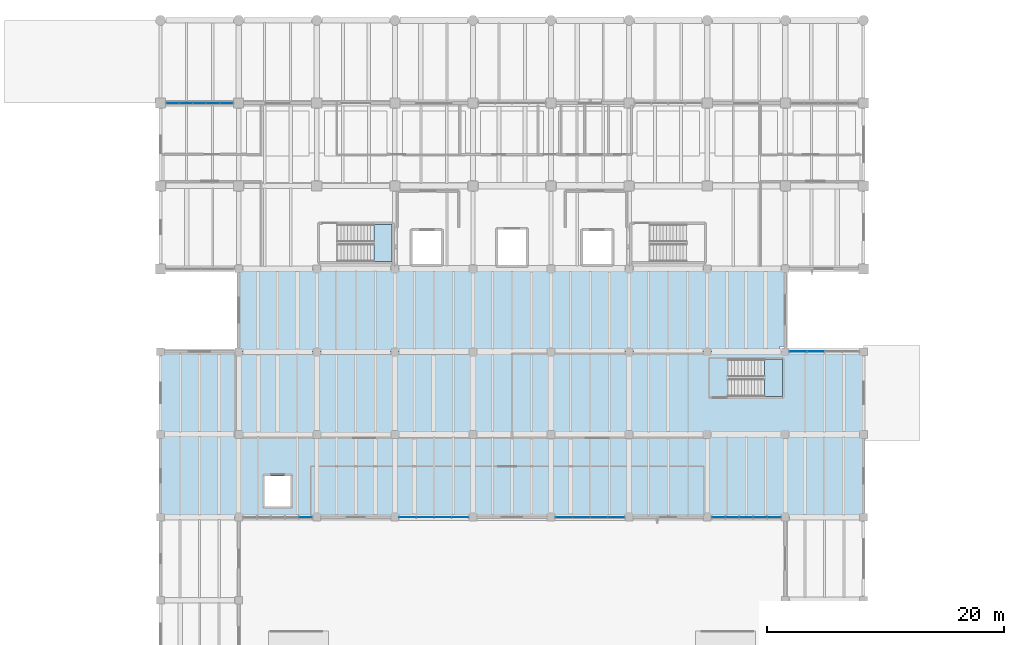
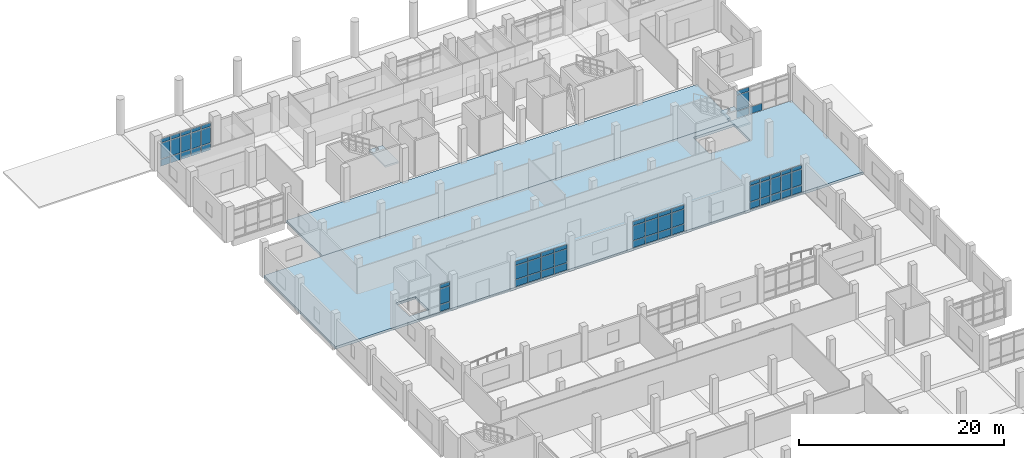
# One storey, part 39 of 69: 61 plates, 4 slabs, 8 elements without a shape of their own.
"""IFC4 building model written with IfcOpenShell, lengths in metres."""

from ifc_helpers import new_model, si_unit, direction, frame, origin, origin_2d, place, context, subcontext, project, spatial, polyline, rectangle, outline, extrude, material, layer, layer_set, type_object, element, aggregate, save


model = new_model("IFC4")

# Units and contexts
model_context = context("Model", 3, precision=1e-05, world=origin(), true_north=direction((0.0, 1.0)))
body_context = subcontext(model_context, "Body", "Model", "MODEL_VIEW")
ifc_project = project(units=[si_unit("LENGTHUNIT", "METRE"), si_unit("AREAUNIT", "SQUARE_METRE"), si_unit("VOLUMEUNIT", "CUBIC_METRE"), si_unit("PLANEANGLEUNIT", "RADIAN"), si_unit("MASSUNIT", "GRAM", prefix="KILO")], contexts=[model_context])

# Site, building, storey
site_placement = place(None, origin())
site = spatial("IfcSite", under=ifc_project, at=site_placement, CompositionType="ELEMENT")
building_placement = place(site_placement, origin())
building = spatial("IfcBuilding", under=site, at=building_placement, Name="Ciguamira Faculty of Natural Sciences", CompositionType="ELEMENT")
storey_placement = place(building_placement, origin())
storey = spatial("IfcBuildingStorey", under=building, at=storey_placement, Name="L00", CompositionType="ELEMENT", Elevation=0.0)

# Curtain wall, plates
ifc_material_1 = material(Name="Anodized aluminium curtain wall", Category="aluminium")
curtain_wall_type_1 = type_object("IfcCurtainWallType", Name="CurtainWall_CW-01", PredefinedType="USERDEFINED", material=ifc_material_1)
curtain_wall_1_placement = place(storey_placement, origin())
curtain_wall_1 = element("IfcCurtainWall", 1, at=curtain_wall_1_placement, inside=storey, type_object=curtain_wall_type_1, Name="L00 unitised curtain wall 0013", ObjectType="UNITISED CURTAIN WALL", PredefinedType="USERDEFINED")
ifc_material_2 = material(Name="Low-E laminated solar glass", Category="glass")
ifc_layer_1 = layer(ifc_material_2, 0.028076171875, Name="Low-E laminated solar glass")
ifc_layer_set_1 = layer_set([ifc_layer_1], Name="Low-E laminated solar glass")
plate_type_1 = type_object("IfcPlateType", Name="CWPanel_CWP-01", PredefinedType="CURTAIN_PANEL", material=ifc_layer_set_1)
plate_1_placement = place(storey_placement, frame((78.183837890625, 73.0, 0.06005859375), z_axis=(0.0, 0.0, 1.0), x_axis=(1.0, 0.0, 0.0)))
plate_1 = element("IfcPlate", 2, at=plate_1_placement, type_object=plate_type_1, Name="CW-01 panel 1.1", PredefinedType="CURTAIN_PANEL", context=body_context, shape_type="SweptSolid", body=[
    extrude(rectangle(XDim=1.3974609375, YDim=0.028076171875, at=origin_2d()), origin(), (0.0, 0.0, 1.0), 0.81005859375),
])
plate_2_placement = place(storey_placement, frame((78.183837890625, 73.0, 0.929931640625), z_axis=(0.0, 0.0, 1.0), x_axis=(1.0, 0.0, 0.0)))
plate_2 = element("IfcPlate", 3, at=plate_2_placement, type_object=plate_type_1, Name="CW-01 panel 1.2", PredefinedType="CURTAIN_PANEL", context=body_context, shape_type="SweptSolid", body=[
    extrude(rectangle(XDim=1.3974609375, YDim=0.028076171875, at=origin_2d()), origin(), (0.0, 0.0, 1.0), 1.625),
])
plate_3_placement = place(storey_placement, frame((78.183837890625, 73.0, 2.614990234375), z_axis=(0.0, 0.0, 1.0), x_axis=(1.0, 0.0, 0.0)))
plate_3 = element("IfcPlate", 4, at=plate_3_placement, type_object=plate_type_1, Name="CW-01 panel 1.3", PredefinedType="CURTAIN_PANEL", context=body_context, shape_type="SweptSolid", body=[
    extrude(rectangle(XDim=1.3974609375, YDim=0.028076171875, at=origin_2d()), origin(), (0.0, 0.0, 1.0), 0.4599609375),
])
plate_4_placement = place(storey_placement, frame((79.65625, 73.0, 0.06005859375), z_axis=(0.0, 0.0, 1.0), x_axis=(1.0, 0.0, 0.0)))
plate_4 = element("IfcPlate", 5, at=plate_4_placement, type_object=plate_type_1, Name="CW-01 panel 2.1", PredefinedType="CURTAIN_PANEL", context=body_context, shape_type="SweptSolid", body=[
    extrude(rectangle(XDim=1.427490234375, YDim=0.028076171875, at=origin_2d()), origin(), (0.0, 0.0, 1.0), 0.81005859375),
])
plate_5_placement = place(storey_placement, frame((79.65625, 73.0, 0.929931640625), z_axis=(0.0, 0.0, 1.0), x_axis=(1.0, 0.0, 0.0)))
plate_5 = element("IfcPlate", 6, at=plate_5_placement, type_object=plate_type_1, Name="CW-01 panel 2.2", PredefinedType="CURTAIN_PANEL", context=body_context, shape_type="SweptSolid", body=[
    extrude(rectangle(XDim=1.427490234375, YDim=0.028076171875, at=origin_2d()), origin(), (0.0, 0.0, 1.0), 1.625),
])
plate_6_placement = place(storey_placement, frame((79.65625, 73.0, 2.614990234375), z_axis=(0.0, 0.0, 1.0), x_axis=(1.0, 0.0, 0.0)))
plate_6 = element("IfcPlate", 7, at=plate_6_placement, type_object=plate_type_1, Name="CW-01 panel 2.3", PredefinedType="CURTAIN_PANEL", context=body_context, shape_type="SweptSolid", body=[
    extrude(rectangle(XDim=1.427490234375, YDim=0.028076171875, at=origin_2d()), origin(), (0.0, 0.0, 1.0), 0.4599609375),
])
plate_7_placement = place(storey_placement, frame((81.143798828125, 73.0, 0.06005859375), z_axis=(0.0, 0.0, 1.0), x_axis=(1.0, 0.0, 0.0)))
plate_7 = element("IfcPlate", 8, at=plate_7_placement, type_object=plate_type_1, Name="CW-01 panel 3.1", PredefinedType="CURTAIN_PANEL", context=body_context, shape_type="SweptSolid", body=[
    extrude(rectangle(XDim=1.427490234375, YDim=0.028076171875, at=origin_2d()), origin(), (0.0, 0.0, 1.0), 0.81005859375),
])
plate_8_placement = place(storey_placement, frame((81.143798828125, 73.0, 0.929931640625), z_axis=(0.0, 0.0, 1.0), x_axis=(1.0, 0.0, 0.0)))
plate_8 = element("IfcPlate", 9, at=plate_8_placement, type_object=plate_type_1, Name="CW-01 panel 3.2", PredefinedType="CURTAIN_PANEL", context=body_context, shape_type="SweptSolid", body=[
    extrude(rectangle(XDim=1.427490234375, YDim=0.028076171875, at=origin_2d()), origin(), (0.0, 0.0, 1.0), 1.625),
])
plate_9_placement = place(storey_placement, frame((81.143798828125, 73.0, 2.614990234375), z_axis=(0.0, 0.0, 1.0), x_axis=(1.0, 0.0, 0.0)))
plate_9 = element("IfcPlate", 10, at=plate_9_placement, type_object=plate_type_1, Name="CW-01 panel 3.3", PredefinedType="CURTAIN_PANEL", context=body_context, shape_type="SweptSolid", body=[
    extrude(rectangle(XDim=1.427490234375, YDim=0.028076171875, at=origin_2d()), origin(), (0.0, 0.0, 1.0), 0.4599609375),
])
plate_10_placement = place(storey_placement, frame((82.6162109375, 73.0, 0.06005859375), z_axis=(0.0, 0.0, 1.0), x_axis=(1.0, 0.0, 0.0)))
plate_10 = element("IfcPlate", 11, at=plate_10_placement, type_object=plate_type_1, Name="CW-01 panel 4.1", PredefinedType="CURTAIN_PANEL", context=body_context, shape_type="SweptSolid", body=[
    extrude(rectangle(XDim=1.3974609375, YDim=0.028076171875, at=origin_2d()), origin(), (0.0, 0.0, 1.0), 0.81005859375),
])
plate_11_placement = place(storey_placement, frame((82.6162109375, 73.0, 0.929931640625), z_axis=(0.0, 0.0, 1.0), x_axis=(1.0, 0.0, 0.0)))
plate_11 = element("IfcPlate", 12, at=plate_11_placement, type_object=plate_type_1, Name="CW-01 panel 4.2", PredefinedType="CURTAIN_PANEL", context=body_context, shape_type="SweptSolid", body=[
    extrude(rectangle(XDim=1.3974609375, YDim=0.028076171875, at=origin_2d()), origin(), (0.0, 0.0, 1.0), 1.625),
])
plate_12_placement = place(storey_placement, frame((82.6162109375, 73.0, 2.614990234375), z_axis=(0.0, 0.0, 1.0), x_axis=(1.0, 0.0, 0.0)))
plate_12 = element("IfcPlate", 13, at=plate_12_placement, type_object=plate_type_1, Name="CW-01 panel 4.3", PredefinedType="CURTAIN_PANEL", context=body_context, shape_type="SweptSolid", body=[
    extrude(rectangle(XDim=1.3974609375, YDim=0.028076171875, at=origin_2d()), origin(), (0.0, 0.0, 1.0), 0.4599609375),
])
aggregate(curtain_wall_1, [plate_1, plate_2, plate_3, plate_4, plate_5, plate_6, plate_7, plate_8, plate_9, plate_10, plate_11, plate_12])

curtain_wall_type_2 = type_object("IfcCurtainWallType", Name="CurtainWall_CW-03", PredefinedType="USERDEFINED", material=ifc_material_1)
curtain_wall_2_placement = place(storey_placement, origin())
curtain_wall_2 = element("IfcCurtainWall", 14, at=curtain_wall_2_placement, inside=storey, type_object=curtain_wall_type_2, Name="L00 unitised curtain wall 0015", ObjectType="UNITISED CURTAIN WALL", PredefinedType="USERDEFINED")
plate_13_placement = place(storey_placement, frame((104.43994140625, 73.0, 0.080078125), z_axis=(0.0, 0.0, 1.0), x_axis=(1.0, 0.0, 0.0)))
plate_13 = element("IfcPlate", 15, at=plate_13_placement, type_object=plate_type_1, Name="CW-03 panel 1.1", PredefinedType="CURTAIN_PANEL", context=body_context, shape_type="SweptSolid", body=[
    extrude(rectangle(XDim=1.070068359375, YDim=0.028076171875, at=origin_2d()), origin(), (0.0, 0.0, 1.0), 0.780029296875),
])
plate_14_placement = place(storey_placement, frame((104.43994140625, 73.0, 0.93994140625), z_axis=(0.0, 0.0, 1.0), x_axis=(1.0, 0.0, 0.0)))
plate_14 = element("IfcPlate", 16, at=plate_14_placement, type_object=plate_type_1, Name="CW-03 panel 1.2", PredefinedType="CURTAIN_PANEL", context=body_context, shape_type="SweptSolid", body=[
    extrude(rectangle(XDim=1.070068359375, YDim=0.028076171875, at=origin_2d()), origin(), (0.0, 0.0, 1.0), 1.8349609375),
])
plate_15_placement = place(storey_placement, frame((104.43994140625, 73.0, 2.85498046875), z_axis=(0.0, 0.0, 1.0), x_axis=(1.0, 0.0, 0.0)))
plate_15 = element("IfcPlate", 17, at=plate_15_placement, type_object=plate_type_1, Name="CW-03 panel 1.3", PredefinedType="CURTAIN_PANEL", context=body_context, shape_type="SweptSolid", body=[
    extrude(rectangle(XDim=1.070068359375, YDim=0.028076171875, at=origin_2d()), origin(), (0.0, 0.0, 1.0), 0.429931640625),
])
plate_16_placement = place(storey_placement, frame((105.610107421875, 73.0, 0.080078125), z_axis=(0.0, 0.0, 1.0), x_axis=(1.0, 0.0, 0.0)))
plate_16 = element("IfcPlate", 18, at=plate_16_placement, type_object=plate_type_1, Name="CW-03 panel 2.1", PredefinedType="CURTAIN_PANEL", context=body_context, shape_type="SweptSolid", body=[
    extrude(rectangle(XDim=1.110107421875, YDim=0.028076171875, at=origin_2d()), origin(), (0.0, 0.0, 1.0), 0.780029296875),
])
plate_17_placement = place(storey_placement, frame((105.610107421875, 73.0, 0.93994140625), z_axis=(0.0, 0.0, 1.0), x_axis=(1.0, 0.0, 0.0)))
plate_17 = element("IfcPlate", 19, at=plate_17_placement, type_object=plate_type_1, Name="CW-03 panel 2.2", PredefinedType="CURTAIN_PANEL", context=body_context, shape_type="SweptSolid", body=[
    extrude(rectangle(XDim=1.110107421875, YDim=0.028076171875, at=origin_2d()), origin(), (0.0, 0.0, 1.0), 1.8349609375),
])
plate_18_placement = place(storey_placement, frame((105.610107421875, 73.0, 2.85498046875), z_axis=(0.0, 0.0, 1.0), x_axis=(1.0, 0.0, 0.0)))
plate_18 = element("IfcPlate", 20, at=plate_18_placement, type_object=plate_type_1, Name="CW-03 panel 2.3", PredefinedType="CURTAIN_PANEL", context=body_context, shape_type="SweptSolid", body=[
    extrude(rectangle(XDim=1.110107421875, YDim=0.028076171875, at=origin_2d()), origin(), (0.0, 0.0, 1.0), 0.429931640625),
])
plate_19_placement = place(storey_placement, frame((106.800048828125, 73.0, 0.080078125), z_axis=(0.0, 0.0, 1.0), x_axis=(1.0, 0.0, 0.0)))
plate_19 = element("IfcPlate", 21, at=plate_19_placement, type_object=plate_type_1, Name="CW-03 panel 3.1", PredefinedType="CURTAIN_PANEL", context=body_context, shape_type="SweptSolid", body=[
    extrude(rectangle(XDim=1.110107421875, YDim=0.028076171875, at=origin_2d()), origin(), (0.0, 0.0, 1.0), 0.780029296875),
])
plate_20_placement = place(storey_placement, frame((106.800048828125, 73.0, 0.93994140625), z_axis=(0.0, 0.0, 1.0), x_axis=(1.0, 0.0, 0.0)))
plate_20 = element("IfcPlate", 22, at=plate_20_placement, type_object=plate_type_1, Name="CW-03 panel 3.2", PredefinedType="CURTAIN_PANEL", context=body_context, shape_type="SweptSolid", body=[
    extrude(rectangle(XDim=1.110107421875, YDim=0.028076171875, at=origin_2d()), origin(), (0.0, 0.0, 1.0), 1.8349609375),
])
plate_21_placement = place(storey_placement, frame((106.800048828125, 73.0, 2.85498046875), z_axis=(0.0, 0.0, 1.0), x_axis=(1.0, 0.0, 0.0)))
plate_21 = element("IfcPlate", 23, at=plate_21_placement, type_object=plate_type_1, Name="CW-03 panel 3.3", PredefinedType="CURTAIN_PANEL", context=body_context, shape_type="SweptSolid", body=[
    extrude(rectangle(XDim=1.110107421875, YDim=0.028076171875, at=origin_2d()), origin(), (0.0, 0.0, 1.0), 0.429931640625),
])
plate_22_placement = place(storey_placement, frame((107.989990234375, 73.0, 0.080078125), z_axis=(0.0, 0.0, 1.0), x_axis=(1.0, 0.0, 0.0)))
plate_22 = element("IfcPlate", 24, at=plate_22_placement, type_object=plate_type_1, Name="CW-03 panel 4.1", PredefinedType="CURTAIN_PANEL", context=body_context, shape_type="SweptSolid", body=[
    extrude(rectangle(XDim=1.110107421875, YDim=0.028076171875, at=origin_2d()), origin(), (0.0, 0.0, 1.0), 0.780029296875),
])
plate_23_placement = place(storey_placement, frame((107.989990234375, 73.0, 0.93994140625), z_axis=(0.0, 0.0, 1.0), x_axis=(1.0, 0.0, 0.0)))
plate_23 = element("IfcPlate", 25, at=plate_23_placement, type_object=plate_type_1, Name="CW-03 panel 4.2", PredefinedType="CURTAIN_PANEL", context=body_context, shape_type="SweptSolid", body=[
    extrude(rectangle(XDim=1.110107421875, YDim=0.028076171875, at=origin_2d()), origin(), (0.0, 0.0, 1.0), 1.8349609375),
])
plate_24_placement = place(storey_placement, frame((107.989990234375, 73.0, 2.85498046875), z_axis=(0.0, 0.0, 1.0), x_axis=(1.0, 0.0, 0.0)))
plate_24 = element("IfcPlate", 26, at=plate_24_placement, type_object=plate_type_1, Name="CW-03 panel 4.3", PredefinedType="CURTAIN_PANEL", context=body_context, shape_type="SweptSolid", body=[
    extrude(rectangle(XDim=1.110107421875, YDim=0.028076171875, at=origin_2d()), origin(), (0.0, 0.0, 1.0), 0.429931640625),
])
plate_25_placement = place(storey_placement, frame((109.159912109375, 73.0, 0.080078125), z_axis=(0.0, 0.0, 1.0), x_axis=(1.0, 0.0, 0.0)))
plate_25 = element("IfcPlate", 27, at=plate_25_placement, type_object=plate_type_1, Name="CW-03 panel 5.1", PredefinedType="CURTAIN_PANEL", context=body_context, shape_type="SweptSolid", body=[
    extrude(rectangle(XDim=1.070068359375, YDim=0.028076171875, at=origin_2d()), origin(), (0.0, 0.0, 1.0), 0.780029296875),
])
plate_26_placement = place(storey_placement, frame((109.159912109375, 73.0, 0.93994140625), z_axis=(0.0, 0.0, 1.0), x_axis=(1.0, 0.0, 0.0)))
plate_26 = element("IfcPlate", 28, at=plate_26_placement, type_object=plate_type_1, Name="CW-03 panel 5.2", PredefinedType="CURTAIN_PANEL", context=body_context, shape_type="SweptSolid", body=[
    extrude(rectangle(XDim=1.070068359375, YDim=0.028076171875, at=origin_2d()), origin(), (0.0, 0.0, 1.0), 1.8349609375),
])
plate_27_placement = place(storey_placement, frame((109.159912109375, 73.0, 2.85498046875), z_axis=(0.0, 0.0, 1.0), x_axis=(1.0, 0.0, 0.0)))
plate_27 = element("IfcPlate", 29, at=plate_27_placement, type_object=plate_type_1, Name="CW-03 panel 5.3", PredefinedType="CURTAIN_PANEL", context=body_context, shape_type="SweptSolid", body=[
    extrude(rectangle(XDim=1.070068359375, YDim=0.028076171875, at=origin_2d()), origin(), (0.0, 0.0, 1.0), 0.429931640625),
])
aggregate(curtain_wall_2, [plate_13, plate_14, plate_15, plate_16, plate_17, plate_18, plate_19, plate_20, plate_21, plate_22, plate_23, plate_24, plate_25, plate_26, plate_27])

curtain_wall_type_3 = type_object("IfcCurtainWallType", Name="CurtainWall_CW-12", PredefinedType="USERDEFINED", material=ifc_material_1)
curtain_wall_3_placement = place(storey_placement, origin())
curtain_wall_3 = element("IfcCurtainWall", 30, at=curtain_wall_3_placement, inside=storey, type_object=curtain_wall_type_3, Name="L00 unitised curtain wall 0012", ObjectType="UNITISED CURTAIN WALL", PredefinedType="USERDEFINED")
ifc_layer_2 = layer(ifc_material_2, 0.035888671875, Name="Low-E laminated solar glass")
ifc_layer_set_2 = layer_set([ifc_layer_2], Name="Low-E laminated solar glass")
plate_type_2 = type_object("IfcPlateType", Name="CWPanel_CWP-02", PredefinedType="CURTAIN_PANEL", material=ifc_layer_set_2)
plate_28_placement = place(storey_placement, frame((69.56005859375, 73.0, 0.080078125), z_axis=(0.0, 0.0, 1.0), x_axis=(1.0, 0.0, 0.0)))
plate_28 = element("IfcPlate", 31, at=plate_28_placement, type_object=plate_type_2, Name="CW-12 panel 5.1", PredefinedType="CURTAIN_PANEL", context=body_context, shape_type="SweptSolid", body=[
    extrude(rectangle(XDim=1.070068359375, YDim=0.035888671875, at=origin_2d()), origin(), (0.0, 0.0, 1.0), 0.780029296875),
])
plate_29_placement = place(storey_placement, frame((69.56005859375, 73.0, 0.93994140625), z_axis=(0.0, 0.0, 1.0), x_axis=(1.0, 0.0, 0.0)))
plate_29 = element("IfcPlate", 32, at=plate_29_placement, type_object=plate_type_2, Name="CW-12 panel 5.2", PredefinedType="CURTAIN_PANEL", context=body_context, shape_type="SweptSolid", body=[
    extrude(rectangle(XDim=1.070068359375, YDim=0.035888671875, at=origin_2d()), origin(), (0.0, 0.0, 1.0), 1.81494140625),
])
plate_30_placement = place(storey_placement, frame((69.56005859375, 73.0, 2.8349609375), z_axis=(0.0, 0.0, 1.0), x_axis=(1.0, 0.0, 0.0)))
plate_30 = element("IfcPlate", 33, at=plate_30_placement, type_object=plate_type_2, Name="CW-12 panel 5.3", PredefinedType="CURTAIN_PANEL", context=body_context, shape_type="SweptSolid", body=[
    extrude(rectangle(XDim=1.070068359375, YDim=0.035888671875, at=origin_2d()), origin(), (0.0, 0.0, 1.0), 0.429931640625),
])
aggregate(curtain_wall_3, [plate_28, plate_29, plate_30])

curtain_wall_type_4 = type_object("IfcCurtainWallType", Name="CurtainWall_CW-02", PredefinedType="USERDEFINED", material=ifc_material_1)
curtain_wall_4_placement = place(storey_placement, origin())
curtain_wall_4 = element("IfcCurtainWall", 34, at=curtain_wall_4_placement, inside=storey, type_object=curtain_wall_type_4, Name="L00 unitised curtain wall 0014", ObjectType="UNITISED CURTAIN WALL", PredefinedType="USERDEFINED")
plate_31_placement = place(storey_placement, frame((91.38623046875, 73.0, 0.070068359375), z_axis=(0.0, 0.0, 1.0), x_axis=(1.0, 0.0, 0.0)))
plate_31 = element("IfcPlate", 35, at=plate_31_placement, type_object=plate_type_2, Name="CW-02 panel 1.1", PredefinedType="CURTAIN_PANEL", context=body_context, shape_type="SweptSolid", body=[
    extrude(rectangle(XDim=1.382568359375, YDim=0.035888671875, at=origin_2d()), origin(), (0.0, 0.0, 1.0), 0.794921875),
])
plate_32_placement = place(storey_placement, frame((91.38623046875, 73.0, 0.93505859375), z_axis=(0.0, 0.0, 1.0), x_axis=(1.0, 0.0, 0.0)))
plate_32 = element("IfcPlate", 36, at=plate_32_placement, type_object=plate_type_2, Name="CW-02 panel 1.2", PredefinedType="CURTAIN_PANEL", context=body_context, shape_type="SweptSolid", body=[
    extrude(rectangle(XDim=1.382568359375, YDim=0.035888671875, at=origin_2d()), origin(), (0.0, 0.0, 1.0), 1.715087890625),
])
plate_33_placement = place(storey_placement, frame((91.38623046875, 73.0, 2.7197265625), z_axis=(0.0, 0.0, 1.0), x_axis=(1.0, 0.0, 0.0)))
plate_33 = element("IfcPlate", 37, at=plate_33_placement, type_object=plate_type_2, Name="CW-02 panel 1.3", PredefinedType="CURTAIN_PANEL", context=body_context, shape_type="SweptSolid", body=[
    extrude(rectangle(XDim=1.382568359375, YDim=0.035888671875, at=origin_2d()), origin(), (0.0, 0.0, 1.0), 0.445068359375),
])
plate_34_placement = place(storey_placement, frame((92.856201171875, 73.0, 0.070068359375), z_axis=(0.0, 0.0, 1.0), x_axis=(1.0, 0.0, 0.0)))
plate_34 = element("IfcPlate", 38, at=plate_34_placement, type_object=plate_type_2, Name="CW-02 panel 2.1", PredefinedType="CURTAIN_PANEL", context=body_context, shape_type="SweptSolid", body=[
    extrude(rectangle(XDim=1.41748046875, YDim=0.035888671875, at=origin_2d()), origin(), (0.0, 0.0, 1.0), 0.794921875),
])
plate_35_placement = place(storey_placement, frame((92.856201171875, 73.0, 0.93505859375), z_axis=(0.0, 0.0, 1.0), x_axis=(1.0, 0.0, 0.0)))
plate_35 = element("IfcPlate", 39, at=plate_35_placement, type_object=plate_type_2, Name="CW-02 panel 2.2", PredefinedType="CURTAIN_PANEL", context=body_context, shape_type="SweptSolid", body=[
    extrude(rectangle(XDim=1.41748046875, YDim=0.035888671875, at=origin_2d()), origin(), (0.0, 0.0, 1.0), 1.715087890625),
])
plate_36_placement = place(storey_placement, frame((92.856201171875, 73.0, 2.7197265625), z_axis=(0.0, 0.0, 1.0), x_axis=(1.0, 0.0, 0.0)))
plate_36 = element("IfcPlate", 40, at=plate_36_placement, type_object=plate_type_2, Name="CW-02 panel 2.3", PredefinedType="CURTAIN_PANEL", context=body_context, shape_type="SweptSolid", body=[
    extrude(rectangle(XDim=1.41748046875, YDim=0.035888671875, at=origin_2d()), origin(), (0.0, 0.0, 1.0), 0.445068359375),
])
plate_37_placement = place(storey_placement, frame((94.34375, 73.0, 0.070068359375), z_axis=(0.0, 0.0, 1.0), x_axis=(1.0, 0.0, 0.0)))
plate_37 = element("IfcPlate", 41, at=plate_37_placement, type_object=plate_type_2, Name="CW-02 panel 3.1", PredefinedType="CURTAIN_PANEL", context=body_context, shape_type="SweptSolid", body=[
    extrude(rectangle(XDim=1.41748046875, YDim=0.035888671875, at=origin_2d()), origin(), (0.0, 0.0, 1.0), 0.794921875),
])
plate_38_placement = place(storey_placement, frame((94.34375, 73.0, 0.93505859375), z_axis=(0.0, 0.0, 1.0), x_axis=(1.0, 0.0, 0.0)))
plate_38 = element("IfcPlate", 42, at=plate_38_placement, type_object=plate_type_2, Name="CW-02 panel 3.2", PredefinedType="CURTAIN_PANEL", context=body_context, shape_type="SweptSolid", body=[
    extrude(rectangle(XDim=1.41748046875, YDim=0.035888671875, at=origin_2d()), origin(), (0.0, 0.0, 1.0), 1.715087890625),
])
plate_39_placement = place(storey_placement, frame((94.34375, 73.0, 2.7197265625), z_axis=(0.0, 0.0, 1.0), x_axis=(1.0, 0.0, 0.0)))
plate_39 = element("IfcPlate", 43, at=plate_39_placement, type_object=plate_type_2, Name="CW-02 panel 3.3", PredefinedType="CURTAIN_PANEL", context=body_context, shape_type="SweptSolid", body=[
    extrude(rectangle(XDim=1.41748046875, YDim=0.035888671875, at=origin_2d()), origin(), (0.0, 0.0, 1.0), 0.445068359375),
])
plate_40_placement = place(storey_placement, frame((95.813720703125, 73.0, 0.070068359375), z_axis=(0.0, 0.0, 1.0), x_axis=(1.0, 0.0, 0.0)))
plate_40 = element("IfcPlate", 44, at=plate_40_placement, type_object=plate_type_2, Name="CW-02 panel 4.1", PredefinedType="CURTAIN_PANEL", context=body_context, shape_type="SweptSolid", body=[
    extrude(rectangle(XDim=1.382568359375, YDim=0.035888671875, at=origin_2d()), origin(), (0.0, 0.0, 1.0), 0.794921875),
])
plate_41_placement = place(storey_placement, frame((95.813720703125, 73.0, 0.93505859375), z_axis=(0.0, 0.0, 1.0), x_axis=(1.0, 0.0, 0.0)))
plate_41 = element("IfcPlate", 45, at=plate_41_placement, type_object=plate_type_2, Name="CW-02 panel 4.2", PredefinedType="CURTAIN_PANEL", context=body_context, shape_type="SweptSolid", body=[
    extrude(rectangle(XDim=1.382568359375, YDim=0.035888671875, at=origin_2d()), origin(), (0.0, 0.0, 1.0), 1.715087890625),
])
plate_42_placement = place(storey_placement, frame((95.813720703125, 73.0, 2.7197265625), z_axis=(0.0, 0.0, 1.0), x_axis=(1.0, 0.0, 0.0)))
plate_42 = element("IfcPlate", 46, at=plate_42_placement, type_object=plate_type_2, Name="CW-02 panel 4.3", PredefinedType="CURTAIN_PANEL", context=body_context, shape_type="SweptSolid", body=[
    extrude(rectangle(XDim=1.382568359375, YDim=0.035888671875, at=origin_2d()), origin(), (0.0, 0.0, 1.0), 0.445068359375),
])
aggregate(curtain_wall_4, [plate_31, plate_32, plate_33, plate_34, plate_35, plate_36, plate_37, plate_38, plate_39, plate_40, plate_41, plate_42])

curtain_wall_type_5 = type_object("IfcCurtainWallType", Name="CurtainWall_CW-04", PredefinedType="USERDEFINED", material=ifc_material_1)
curtain_wall_5_placement = place(storey_placement, origin())
curtain_wall_5 = element("IfcCurtainWall", 47, at=curtain_wall_5_placement, inside=storey, type_object=curtain_wall_type_5, Name="L00 unitised curtain wall 0016", ObjectType="UNITISED CURTAIN WALL", PredefinedType="USERDEFINED")
plate_43_placement = place(storey_placement, frame((111.183837890625, 87.0, 0.06005859375), z_axis=(0.0, 0.0, 1.0), x_axis=(1.0, 0.0, 0.0)))
plate_43 = element("IfcPlate", 48, at=plate_43_placement, type_object=plate_type_2, Name="CW-04 panel 1.1", PredefinedType="CURTAIN_PANEL", context=body_context, shape_type="SweptSolid", body=[
    extrude(rectangle(XDim=1.3974609375, YDim=0.035888671875, at=origin_2d()), origin(), (0.0, 0.0, 1.0), 0.81005859375),
])
plate_44_placement = place(storey_placement, frame((111.183837890625, 87.0, 0.929931640625), z_axis=(0.0, 0.0, 1.0), x_axis=(1.0, 0.0, 0.0)))
plate_44 = element("IfcPlate", 49, at=plate_44_placement, type_object=plate_type_2, Name="CW-04 panel 1.2", PredefinedType="CURTAIN_PANEL", context=body_context, shape_type="SweptSolid", body=[
    extrude(rectangle(XDim=1.3974609375, YDim=0.035888671875, at=origin_2d()), origin(), (0.0, 0.0, 1.0), 1.85498046875),
])
plate_45_placement = place(storey_placement, frame((111.183837890625, 87.0, 2.844970703125), z_axis=(0.0, 0.0, 1.0), x_axis=(1.0, 0.0, 0.0)))
plate_45 = element("IfcPlate", 50, at=plate_45_placement, type_object=plate_type_2, Name="CW-04 panel 1.3", PredefinedType="CURTAIN_PANEL", context=body_context, shape_type="SweptSolid", body=[
    extrude(rectangle(XDim=1.3974609375, YDim=0.035888671875, at=origin_2d()), origin(), (0.0, 0.0, 1.0), 0.4599609375),
])
plate_46_placement = place(storey_placement, frame((112.65625, 87.0, 0.06005859375), z_axis=(0.0, 0.0, 1.0), x_axis=(1.0, 0.0, 0.0)))
plate_46 = element("IfcPlate", 51, at=plate_46_placement, type_object=plate_type_2, Name="CW-04 panel 2.1", PredefinedType="CURTAIN_PANEL", context=body_context, shape_type="SweptSolid", body=[
    extrude(rectangle(XDim=1.427490234375, YDim=0.035888671875, at=origin_2d()), origin(), (0.0, 0.0, 1.0), 0.81005859375),
])
aggregate(curtain_wall_5, [plate_43, plate_44, plate_45, plate_46])

curtain_wall_type_6 = type_object("IfcCurtainWallType", Name="CurtainWall_CW-06", PredefinedType="USERDEFINED", material=ifc_material_1)
curtain_wall_6_placement = place(storey_placement, origin())
curtain_wall_6 = element("IfcCurtainWall", 52, at=curtain_wall_6_placement, inside=storey, type_object=curtain_wall_type_6, Name="L00 unitised curtain wall 0018", ObjectType="UNITISED CURTAIN WALL", PredefinedType="USERDEFINED")
plate_47_placement = place(storey_placement, frame((58.320068359375, 108.0, 0.080078125), z_axis=(0.0, 0.0, 1.0), x_axis=(1.0, 0.0, 0.0)))
plate_47 = element("IfcPlate", 53, at=plate_47_placement, type_object=plate_type_2, Name="CW-06 panel 1.1", PredefinedType="CURTAIN_PANEL", context=body_context, shape_type="SweptSolid", body=[
    extrude(rectangle(XDim=1.030029296875, YDim=0.035888671875, at=origin_2d()), origin(), (0.0, 0.0, 1.0), 0.780029296875),
])
plate_48_placement = place(storey_placement, frame((58.320068359375, 108.0, 0.93994140625), z_axis=(0.0, 0.0, 1.0), x_axis=(1.0, 0.0, 0.0)))
plate_48 = element("IfcPlate", 54, at=plate_48_placement, type_object=plate_type_2, Name="CW-06 panel 1.2", PredefinedType="CURTAIN_PANEL", context=body_context, shape_type="SweptSolid", body=[
    extrude(rectangle(XDim=1.030029296875, YDim=0.035888671875, at=origin_2d()), origin(), (0.0, 0.0, 1.0), 1.85498046875),
])
plate_49_placement = place(storey_placement, frame((58.320068359375, 108.0, 2.875), z_axis=(0.0, 0.0, 1.0), x_axis=(1.0, 0.0, 0.0)))
plate_49 = element("IfcPlate", 55, at=plate_49_placement, type_object=plate_type_2, Name="CW-06 panel 1.3", PredefinedType="CURTAIN_PANEL", context=body_context, shape_type="SweptSolid", body=[
    extrude(rectangle(XDim=1.030029296875, YDim=0.035888671875, at=origin_2d()), origin(), (0.0, 0.0, 1.0), 0.429931640625),
])
plate_50_placement = place(storey_placement, frame((59.449951171875, 108.0, 0.080078125), z_axis=(0.0, 0.0, 1.0), x_axis=(1.0, 0.0, 0.0)))
plate_50 = element("IfcPlate", 56, at=plate_50_placement, type_object=plate_type_2, Name="CW-06 panel 2.1", PredefinedType="CURTAIN_PANEL", context=body_context, shape_type="SweptSolid", body=[
    extrude(rectangle(XDim=1.070068359375, YDim=0.035888671875, at=origin_2d()), origin(), (0.0, 0.0, 1.0), 0.780029296875),
])
plate_51_placement = place(storey_placement, frame((59.449951171875, 108.0, 0.93994140625), z_axis=(0.0, 0.0, 1.0), x_axis=(1.0, 0.0, 0.0)))
plate_51 = element("IfcPlate", 57, at=plate_51_placement, type_object=plate_type_2, Name="CW-06 panel 2.2", PredefinedType="CURTAIN_PANEL", context=body_context, shape_type="SweptSolid", body=[
    extrude(rectangle(XDim=1.070068359375, YDim=0.035888671875, at=origin_2d()), origin(), (0.0, 0.0, 1.0), 1.85498046875),
])
plate_52_placement = place(storey_placement, frame((59.449951171875, 108.0, 2.875), z_axis=(0.0, 0.0, 1.0), x_axis=(1.0, 0.0, 0.0)))
plate_52 = element("IfcPlate", 58, at=plate_52_placement, type_object=plate_type_2, Name="CW-06 panel 2.3", PredefinedType="CURTAIN_PANEL", context=body_context, shape_type="SweptSolid", body=[
    extrude(rectangle(XDim=1.070068359375, YDim=0.035888671875, at=origin_2d()), origin(), (0.0, 0.0, 1.0), 0.429931640625),
])
plate_53_placement = place(storey_placement, frame((60.60009765625, 108.0, 0.080078125), z_axis=(0.0, 0.0, 1.0), x_axis=(1.0, 0.0, 0.0)))
plate_53 = element("IfcPlate", 59, at=plate_53_placement, type_object=plate_type_2, Name="CW-06 panel 3.1", PredefinedType="CURTAIN_PANEL", context=body_context, shape_type="SweptSolid", body=[
    extrude(rectangle(XDim=1.070068359375, YDim=0.035888671875, at=origin_2d()), origin(), (0.0, 0.0, 1.0), 0.780029296875),
])
plate_54_placement = place(storey_placement, frame((60.60009765625, 108.0, 0.93994140625), z_axis=(0.0, 0.0, 1.0), x_axis=(1.0, 0.0, 0.0)))
plate_54 = element("IfcPlate", 60, at=plate_54_placement, type_object=plate_type_2, Name="CW-06 panel 3.2", PredefinedType="CURTAIN_PANEL", context=body_context, shape_type="SweptSolid", body=[
    extrude(rectangle(XDim=1.070068359375, YDim=0.035888671875, at=origin_2d()), origin(), (0.0, 0.0, 1.0), 1.85498046875),
])
plate_55_placement = place(storey_placement, frame((60.60009765625, 108.0, 2.875), z_axis=(0.0, 0.0, 1.0), x_axis=(1.0, 0.0, 0.0)))
plate_55 = element("IfcPlate", 61, at=plate_55_placement, type_object=plate_type_2, Name="CW-06 panel 3.3", PredefinedType="CURTAIN_PANEL", context=body_context, shape_type="SweptSolid", body=[
    extrude(rectangle(XDim=1.070068359375, YDim=0.035888671875, at=origin_2d()), origin(), (0.0, 0.0, 1.0), 0.429931640625),
])
plate_56_placement = place(storey_placement, frame((61.75, 108.0, 0.080078125), z_axis=(0.0, 0.0, 1.0), x_axis=(1.0, 0.0, 0.0)))
plate_56 = element("IfcPlate", 62, at=plate_56_placement, type_object=plate_type_2, Name="CW-06 panel 4.1", PredefinedType="CURTAIN_PANEL", context=body_context, shape_type="SweptSolid", body=[
    extrude(rectangle(XDim=1.070068359375, YDim=0.035888671875, at=origin_2d()), origin(), (0.0, 0.0, 1.0), 0.780029296875),
])
plate_57_placement = place(storey_placement, frame((61.75, 108.0, 0.93994140625), z_axis=(0.0, 0.0, 1.0), x_axis=(1.0, 0.0, 0.0)))
plate_57 = element("IfcPlate", 63, at=plate_57_placement, type_object=plate_type_2, Name="CW-06 panel 4.2", PredefinedType="CURTAIN_PANEL", context=body_context, shape_type="SweptSolid", body=[
    extrude(rectangle(XDim=1.070068359375, YDim=0.035888671875, at=origin_2d()), origin(), (0.0, 0.0, 1.0), 1.85498046875),
])
plate_58_placement = place(storey_placement, frame((61.75, 108.0, 2.875), z_axis=(0.0, 0.0, 1.0), x_axis=(1.0, 0.0, 0.0)))
plate_58 = element("IfcPlate", 64, at=plate_58_placement, type_object=plate_type_2, Name="CW-06 panel 4.3", PredefinedType="CURTAIN_PANEL", context=body_context, shape_type="SweptSolid", body=[
    extrude(rectangle(XDim=1.070068359375, YDim=0.035888671875, at=origin_2d()), origin(), (0.0, 0.0, 1.0), 0.429931640625),
])
plate_59_placement = place(storey_placement, frame((62.8798828125, 108.0, 0.080078125), z_axis=(0.0, 0.0, 1.0), x_axis=(1.0, 0.0, 0.0)))
plate_59 = element("IfcPlate", 65, at=plate_59_placement, type_object=plate_type_2, Name="CW-06 panel 5.1", PredefinedType="CURTAIN_PANEL", context=body_context, shape_type="SweptSolid", body=[
    extrude(rectangle(XDim=1.030029296875, YDim=0.035888671875, at=origin_2d()), origin(), (0.0, 0.0, 1.0), 0.780029296875),
])
plate_60_placement = place(storey_placement, frame((62.8798828125, 108.0, 0.93994140625), z_axis=(0.0, 0.0, 1.0), x_axis=(1.0, 0.0, 0.0)))
plate_60 = element("IfcPlate", 66, at=plate_60_placement, type_object=plate_type_2, Name="CW-06 panel 5.2", PredefinedType="CURTAIN_PANEL", context=body_context, shape_type="SweptSolid", body=[
    extrude(rectangle(XDim=1.030029296875, YDim=0.035888671875, at=origin_2d()), origin(), (0.0, 0.0, 1.0), 1.85498046875),
])
plate_61_placement = place(storey_placement, frame((62.8798828125, 108.0, 2.875), z_axis=(0.0, 0.0, 1.0), x_axis=(1.0, 0.0, 0.0)))
plate_61 = element("IfcPlate", 67, at=plate_61_placement, type_object=plate_type_2, Name="CW-06 panel 5.3", PredefinedType="CURTAIN_PANEL", context=body_context, shape_type="SweptSolid", body=[
    extrude(rectangle(XDim=1.030029296875, YDim=0.035888671875, at=origin_2d()), origin(), (0.0, 0.0, 1.0), 0.429931640625),
])
aggregate(curtain_wall_6, [plate_47, plate_48, plate_49, plate_50, plate_51, plate_52, plate_53, plate_54, plate_55, plate_56, plate_57, plate_58, plate_59, plate_60, plate_61])

# Slabs
ifc_material_3 = material(Name="Concrete C40/50", Category="concrete")
ifc_layer_3 = layer(ifc_material_3, 0.300048828125, Name="Concrete C40/50")
ifc_layer_set_3 = layer_set([ifc_layer_3], Name="Concrete C40/50")
slab_type_1 = type_object("IfcSlabType", Name="Slab_SF-02_300", PredefinedType="FLOOR", material=ifc_layer_set_3)
slab_1_placement = place(storey_placement, frame((0.0, 0.0, -0.300048828125)))
element("IfcSlab", 68, at=slab_1_placement, inside=storey, type_object=slab_type_1, Name="L00 V4N structural slab", PredefinedType="FLOOR", context=body_context, shape_type="SweptSolid", body=[
    extrude(outline(polyline([(57.300048828125, 73.0), (116.699951171875, 73.0), (116.699951171875, 87.0), (57.300048828125, 87.0), (57.300048828125, 73.0)]), holes=[polyline([(105.260009765625, 83.199951171875), (109.85009765625, 83.199951171875), (109.85009765625, 86.360107421875), (105.260009765625, 86.360107421875), (105.260009765625, 83.199951171875)]), polyline([(66.10009765625, 73.89990234375), (68.300048828125, 73.89990234375), (68.300048828125, 76.5), (66.10009765625, 76.5), (66.10009765625, 73.89990234375)])]), origin(), (0.0, 0.0, 1.0), 0.300048828125),
])
slab_2_placement = place(storey_placement, frame((0.0, 0.0, -0.300048828125)))
element("IfcSlab", 69, at=slab_2_placement, inside=storey, type_object=slab_type_1, Name="L00 V4K structural slab", PredefinedType="FLOOR", context=body_context, shape_type="SweptSolid", body=[
    extrude(outline(polyline([(63.89990234375, 87.0), (109.64990234375, 87.0), (109.64990234375, 87.449951171875), (110.10009765625, 87.449951171875), (110.10009765625, 94.0), (63.89990234375, 94.0), (63.89990234375, 87.0)])), origin(), (0.0, 0.0, 1.0), 0.300048828125),
])

# Stair, slab
stair_type_1 = type_object("IfcStairType", Name="Stair_STR-01", PredefinedType="HALF_TURN_STAIR", material=ifc_material_3)
stair_1_placement = place(storey_placement, origin())
stair_1 = element("IfcStair", 70, at=stair_1_placement, inside=storey, type_object=stair_type_1, Name="L00 Tower West Exit Stair", PredefinedType="HALF_TURN_STAIR")
ifc_layer_4 = layer(ifc_material_3, 0.199951171875, Name="Concrete C40/50")
ifc_layer_set_4 = layer_set([ifc_layer_4], Name="Concrete C40/50")
slab_type_2 = type_object("IfcSlabType", Name="StairLanding_SLD01", PredefinedType="LANDING", material=ifc_layer_set_4)
slab_3_placement = place(storey_placement, frame((0.0, 0.0, 1.89990234375)))
slab_3 = element("IfcSlab", 71, at=slab_3_placement, type_object=slab_type_2, Name="ST-T1 landing 1", PredefinedType="LANDING", context=body_context, shape_type="SweptSolid", body=[
    extrude(outline(polyline([(75.340087890625, 94.60009765625), (76.85009765625, 94.60009765625), (76.85009765625, 97.760009765625), (75.340087890625, 97.760009765625), (75.340087890625, 94.60009765625)])), origin(), (0.0, 0.0, 1.0), 0.2001953125),
])
aggregate(stair_1, [slab_3])

stair_type_2 = type_object("IfcStairType", Name="Stair_STR-02", PredefinedType="HALF_TURN_STAIR", material=ifc_material_3)
stair_2_placement = place(storey_placement, origin())
stair_2 = element("IfcStair", 72, at=stair_2_placement, inside=storey, type_object=stair_type_2, Name="L00 Wave Labs North-East Exit Stair", PredefinedType="HALF_TURN_STAIR")
slab_4_placement = place(storey_placement, frame((0.0, 0.0, 1.89990234375)))
slab_4 = element("IfcSlab", 73, at=slab_4_placement, type_object=slab_type_2, Name="ST-W2 landing 1", PredefinedType="LANDING", context=body_context, shape_type="SweptSolid", body=[
    extrude(outline(polyline([(108.340087890625, 83.199951171875), (109.85009765625, 83.199951171875), (109.85009765625, 86.360107421875), (108.340087890625, 86.360107421875), (108.340087890625, 83.199951171875)])), origin(), (0.0, 0.0, 1.0), 0.2001953125),
])
aggregate(stair_2, [slab_4])

save(model, "model.ifc")
